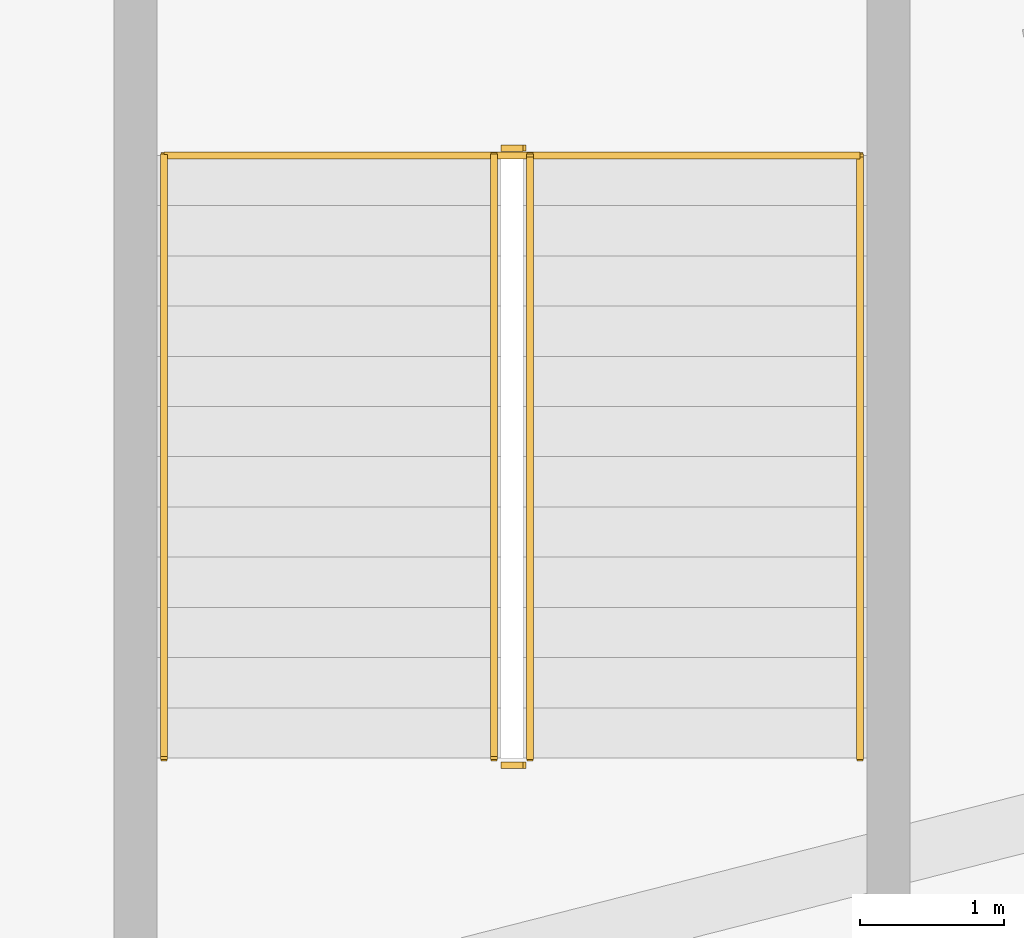
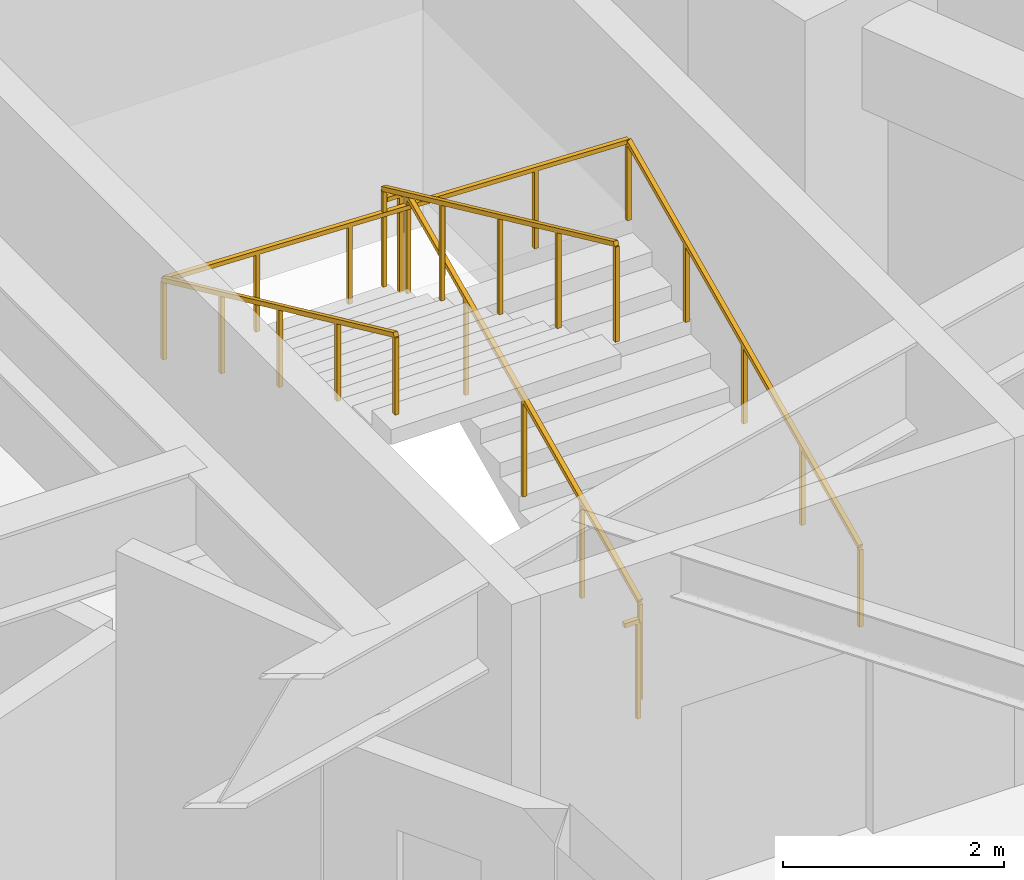
# One storey, part 27 of 32: 5 railings.
"""IFC4 building model written with IfcOpenShell, lengths in metres."""

from ifc_helpers import new_model, si_unit, direction, frame, origin, origin_2d, place, context, subcontext, project, spatial, rectangle, extrude, material, type_object, element, save


model = new_model("IFC4")

# Units and contexts
model_context = context("Model", 3, precision=1e-05, world=origin(), true_north=direction((0.0, 1.0)))
body_context = subcontext(model_context, "Body", "Model", "MODEL_VIEW")
ifc_project = project(units=[si_unit("LENGTHUNIT", "METRE"), si_unit("AREAUNIT", "SQUARE_METRE"), si_unit("VOLUMEUNIT", "CUBIC_METRE"), si_unit("PLANEANGLEUNIT", "RADIAN"), si_unit("MASSUNIT", "GRAM", prefix="KILO")], contexts=[model_context])

# Site, building, storey
site_placement = place(None, origin())
site = spatial("IfcSite", under=ifc_project, at=site_placement, CompositionType="ELEMENT")
building_placement = place(site_placement, origin())
building = spatial("IfcBuilding", under=site, at=building_placement, Name="Noorbagh Ring Tower", CompositionType="ELEMENT")
storey_placement = place(building_placement, frame((0.0, 0.0, -4.199951171875)))
storey = spatial("IfcBuildingStorey", under=building, at=storey_placement, Name="B1", CompositionType="ELEMENT", Elevation=-4.199951171875)

# Railings
ifc_material_1 = material(Name="Stainless steel", Category="steel")
railing_type_1 = type_object("IfcRailingType", Name="GND-STAIR-GUARD", PredefinedType="GUARDRAIL", material=ifc_material_1)
railing_1_placement = place(storey_placement, frame((-38.89990234375, -8.60009765625, 0.161376953125)))
element("IfcRailing", 1, at=railing_1_placement, inside=storey, type_object=railing_type_1, Name="B1 ST-P1 stair guard", PredefinedType="GUARDRAIL", context=body_context, shape_type="SweptSolid", body=[
    extrude(rectangle(XDim=0.048095703125, YDim=0.048095703125, at=origin_2d()), frame((0.0, 0.0, 1.076171875), z_axis=(0.0, 0.907965563105, 0.419044790226), x_axis=(-1.0, 0.0, 0.0)), (0.0, 0.0, 1.0), 4.6259765625),
    extrude(rectangle(XDim=0.0419921875, YDim=0.0419921875, at=origin_2d()), origin(), (0.0, 0.0, 1.0), 1.052001953125),
    extrude(rectangle(XDim=0.0419921875, YDim=0.0419921875, at=origin_2d()), frame((0.0, 1.050048828125, 0.484619140625)), (0.0, 0.0, 1.0), 1.052001953125),
    extrude(rectangle(XDim=0.0419921875, YDim=0.0419921875, at=origin_2d()), frame((0.0, 2.10009765625, 0.96923828125)), (0.0, 0.0, 1.0), 1.052001953125),
    extrude(rectangle(XDim=0.0419921875, YDim=0.0419921875, at=origin_2d()), frame((0.0, 3.150146484375, 1.453857421875)), (0.0, 0.0, 1.0), 1.052001953125),
    extrude(rectangle(XDim=0.0419921875, YDim=0.0419921875, at=origin_2d()), frame((0.0, 4.2001953125, 1.9384765625)), (0.0, 0.0, 1.0), 1.052001953125),
])
railing_2_placement = place(storey_placement, frame((-38.949951171875, -4.35009765625, 2.099853515625)))
element("IfcRailing", 2, at=railing_2_placement, inside=storey, type_object=railing_type_1, Name="B1 ST-P1 stair guard", PredefinedType="GUARDRAIL", context=body_context, shape_type="SweptSolid", body=[
    extrude(rectangle(XDim=0.048095703125, YDim=0.048095703125, at=origin_2d()), frame((0.0, 0.0, 1.076171875), z_axis=(-1.0, 0.0, 0.0), x_axis=(0.0, -1.0, 0.0)), (0.0, 0.0, 1.0), 0.150146484375),
    extrude(rectangle(XDim=0.0419921875, YDim=0.0419921875, at=origin_2d()), origin(), (0.0, 0.0, 1.0), 1.052001953125),
])
railing_3_placement = place(storey_placement, frame((-39.14990234375, -4.39990234375, 2.261474609375)))
element("IfcRailing", 3, at=railing_3_placement, inside=storey, type_object=railing_type_1, Name="B1 ST-P1 stair guard", PredefinedType="GUARDRAIL", context=body_context, shape_type="SweptSolid", body=[
    extrude(rectangle(XDim=0.048095703125, YDim=0.048095703125, at=origin_2d()), frame((0.0, 0.0, 1.076171875), z_axis=(0.0, -0.907965563105, 0.419044790226), x_axis=(1.0, 0.0, 0.0)), (0.0, 0.0, 1.0), 4.6259765625),
    extrude(rectangle(XDim=0.0419921875, YDim=0.0419921875, at=origin_2d()), origin(), (0.0, 0.0, 1.0), 1.052001953125),
    extrude(rectangle(XDim=0.0419921875, YDim=0.0419921875, at=origin_2d()), frame((0.0, -1.050048828125, 0.484619140625)), (0.0, 0.0, 1.0), 1.052001953125),
    extrude(rectangle(XDim=0.0419921875, YDim=0.0419921875, at=origin_2d()), frame((0.0, -2.10009765625, 0.96923828125)), (0.0, 0.0, 1.0), 1.052001953125),
    extrude(rectangle(XDim=0.0419921875, YDim=0.0419921875, at=origin_2d()), frame((0.0, -3.150146484375, 1.453857421875)), (0.0, 0.0, 1.0), 1.052001953125),
    extrude(rectangle(XDim=0.0419921875, YDim=0.0419921875, at=origin_2d()), frame((0.0, -4.2001953125, 1.9384765625)), (0.0, 0.0, 1.0), 1.052001953125),
])
railing_4_placement = place(storey_placement, frame((-38.949951171875, -8.64990234375, 0.0)))
element("IfcRailing", 4, at=railing_4_placement, inside=storey, type_object=railing_type_1, Name="B1 ST-P1 stair guard", PredefinedType="GUARDRAIL", context=body_context, shape_type="SweptSolid", body=[
    extrude(rectangle(XDim=0.048095703125, YDim=0.048095703125, at=origin_2d()), frame((0.0, 0.0, 1.076171875), z_axis=(-1.0, 0.0, 0.0), x_axis=(0.0, -1.0, 0.0)), (0.0, 0.0, 1.0), 0.150146484375),
    extrude(rectangle(XDim=0.0419921875, YDim=0.0419921875, at=origin_2d()), origin(), (0.0, 0.0, 1.0), 1.052001953125),
])
ifc_material_2 = material(Name="Stainless steel", Category="steel")
railing_type_2 = type_object("IfcRailingType", Name="GND-STAIR-HANDRAIL", PredefinedType="HANDRAIL", material=ifc_material_2)
railing_5_placement = place(storey_placement, frame((-36.60009765625, -8.60009765625, 0.161376953125)))
element("IfcRailing", 5, at=railing_5_placement, inside=storey, type_object=railing_type_2, Name="B1 ST-P1 stair handrail", PredefinedType="HANDRAIL", context=body_context, shape_type="SweptSolid", body=[
    extrude(rectangle(XDim=0.048095703125, YDim=0.048095703125, at=origin_2d()), frame((0.0, 0.0, 0.8759765625), z_axis=(0.0, 0.907965563105, 0.419044790226), x_axis=(-1.0, 0.0, 0.0)), (0.0, 0.0, 1.0), 4.6259765625),
    extrude(rectangle(XDim=0.048095703125, YDim=0.048095703125, at=origin_2d()), frame((0.0, 4.2001953125, 2.814453125), z_axis=(-0.999445186144, 0.0, 0.033306454227), x_axis=(0.0, -1.0, 0.0)), (0.0, 0.0, 1.0), 4.8525390625),
    extrude(rectangle(XDim=0.048095703125, YDim=0.048095703125, at=origin_2d()), frame((-4.849853515625, 4.2001953125, 2.97607421875), z_axis=(0.0, -0.907965563105, 0.419044790226), x_axis=(1.0, 0.0, 0.0)), (0.0, 0.0, 1.0), 4.6259765625),
    extrude(rectangle(XDim=0.0419921875, YDim=0.0419921875, at=origin_2d()), origin(), (0.0, 0.0, 1.0), 0.851806640625),
    extrude(rectangle(XDim=0.0419921875, YDim=0.0419921875, at=origin_2d()), frame((0.0, 1.050048828125, 0.484619140625)), (0.0, 0.0, 1.0), 0.851806640625),
    extrude(rectangle(XDim=0.0419921875, YDim=0.0419921875, at=origin_2d()), frame((0.0, 2.10009765625, 0.96923828125)), (0.0, 0.0, 1.0), 0.851806640625),
    extrude(rectangle(XDim=0.0419921875, YDim=0.0419921875, at=origin_2d()), frame((0.0, 3.150146484375, 1.453857421875)), (0.0, 0.0, 1.0), 0.851806640625),
    extrude(rectangle(XDim=0.0419921875, YDim=0.0419921875, at=origin_2d()), frame((0.0, 4.2001953125, 1.9384765625)), (0.0, 0.0, 1.0), 0.851806640625),
    extrude(rectangle(XDim=0.0419921875, YDim=0.0419921875, at=origin_2d()), frame((-0.969970703125, 4.2001953125, 1.970703125)), (0.0, 0.0, 1.0), 0.851806640625),
    extrude(rectangle(XDim=0.0419921875, YDim=0.0419921875, at=origin_2d()), frame((-1.93994140625, 4.2001953125, 2.003173828125)), (0.0, 0.0, 1.0), 0.851806640625),
    extrude(rectangle(XDim=0.0419921875, YDim=0.0419921875, at=origin_2d()), frame((-2.909912109375, 4.2001953125, 2.035400390625)), (0.0, 0.0, 1.0), 0.851806640625),
    extrude(rectangle(XDim=0.0419921875, YDim=0.0419921875, at=origin_2d()), frame((-3.8798828125, 4.2001953125, 2.06787109375)), (0.0, 0.0, 1.0), 0.851806640625),
    extrude(rectangle(XDim=0.0419921875, YDim=0.0419921875, at=origin_2d()), frame((-4.849853515625, 4.2001953125, 2.10009765625)), (0.0, 0.0, 1.0), 0.851806640625),
    extrude(rectangle(XDim=0.0419921875, YDim=0.0419921875, at=origin_2d()), frame((-4.849853515625, 3.150146484375, 2.584716796875)), (0.0, 0.0, 1.0), 0.851806640625),
    extrude(rectangle(XDim=0.0419921875, YDim=0.0419921875, at=origin_2d()), frame((-4.849853515625, 2.10009765625, 3.0693359375)), (0.0, 0.0, 1.0), 0.851806640625),
    extrude(rectangle(XDim=0.0419921875, YDim=0.0419921875, at=origin_2d()), frame((-4.849853515625, 1.050048828125, 3.553955078125)), (0.0, 0.0, 1.0), 0.851806640625),
    extrude(rectangle(XDim=0.0419921875, YDim=0.0419921875, at=origin_2d()), frame((-4.849853515625, 0.0, 4.03857421875)), (0.0, 0.0, 1.0), 0.851806640625),
])

save(model, "model.ifc")
